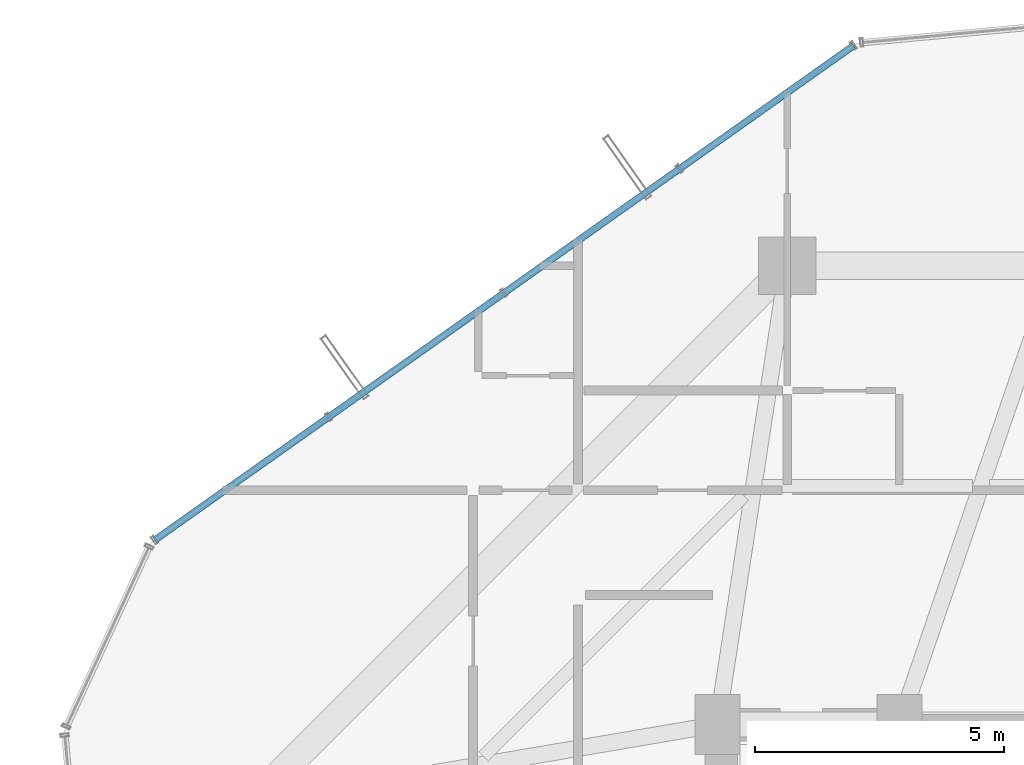
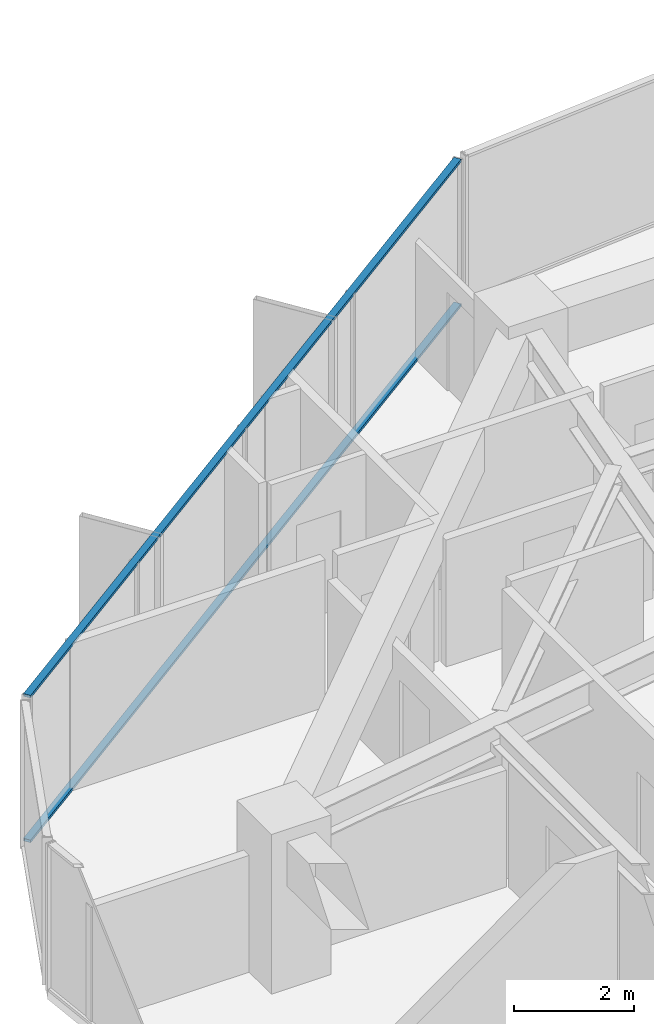
# One storey, part 20 of 33: 2 members, 1 element without a shape of its own.
"""IFC4 building model written with IfcOpenShell, lengths in metres."""

from ifc_helpers import new_model, si_unit, direction, frame, origin, origin_2d, place, context, subcontext, project, spatial, hollow_rectangle, extrude, source, transform, mapped, material, layer, layer_set, material_profile, profile_set, type_object, element, aggregate, save


model = new_model("IFC4")

# Units and contexts
model_context = context("Model", 3, precision=1e-05, world=origin(), true_north=direction((0.0, 1.0)))
body_context = subcontext(model_context, "Body", "Model", "MODEL_VIEW")
ifc_project = project(units=[si_unit("LENGTHUNIT", "METRE"), si_unit("AREAUNIT", "SQUARE_METRE"), si_unit("VOLUMEUNIT", "CUBIC_METRE"), si_unit("PLANEANGLEUNIT", "RADIAN"), si_unit("MASSUNIT", "GRAM", prefix="KILO")], contexts=[model_context])

# Site, building, storey
site_placement = place(None, origin())
site = spatial("IfcSite", under=ifc_project, at=site_placement, CompositionType="ELEMENT")
building_placement = place(site_placement, origin())
building = spatial("IfcBuilding", under=site, at=building_placement, Name="Veraguas Prism Commons", CompositionType="ELEMENT")
storey_placement = place(building_placement, frame((0.0, 0.0, 145.75)))
storey = spatial("IfcBuildingStorey", under=building, at=storey_placement, Name="L41", CompositionType="ELEMENT", Elevation=145.75)

# Curtain wall, members
ifc_material = material(Name="Anodised aluminium EN AW-6063 T6", Category="aluminium")
ifc_layer = layer(ifc_material, 0.169921875, Name="Unitised Flush Curtain Wall Zone 2", Category="aluminium")
ifc_layer_set = layer_set([ifc_layer], Name="Anodised aluminium EN AW-6063 T6")
curtain_wall_type = type_object("IfcCurtainWallType", Name="Unitised Flush Curtain Wall Zone 2", PredefinedType="NOTDEFINED", material=ifc_layer_set)
curtain_wall_placement = place(storey_placement, origin())
curtain_wall = element("IfcCurtainWall", 1, at=curtain_wall_placement, inside=storey, type_object=curtain_wall_type, Name="Tower Facade Curtain Wall L41-F2", PredefinedType="NOTDEFINED")
ifc_material_profile = material_profile(ifc_material, hollow_rectangle(XDim=0.054931640625, YDim=0.135009765625, WallThickness=0.0029296875, at=origin_2d()), Name="AL55X135X3")
ifc_profile_set = profile_set([ifc_material_profile], Name="Anodised aluminium EN AW-6063 T6")
member_type = type_object("IfcMemberType", Name="Curtain Wall Transom Standard AL 55x135x3", PredefinedType="USERDEFINED", material=ifc_profile_set)
shared_shape = source(origin(), body_context, "Body", "SweptSolid", [
    extrude(hollow_rectangle(XDim=0.054931640625, YDim=0.135009765625, WallThickness=0.0029296875, at=origin_2d()), origin(), (0.0, 0.0, 1.0), 17.174560546875),
])
member_1_placement = place(storey_placement, frame((19.930908203125, 44.619140625, 0.027587890625), z_axis=(-0.816342566733, -0.577568016549, 0.0), x_axis=(0.0, 0.0, 1.0)))
member_1 = element("IfcMember", 2, at=member_1_placement, type_object=member_type, Name="CW-Z2 Transom 1", ObjectType="TRANSOM", PredefinedType="USERDEFINED", context=body_context, shape_type="MappedRepresentation", body=[
    mapped(shared_shape, transform((0.0, 0.0, 0.0), scale=1.0)),
])
member_2_placement = place(storey_placement, frame((19.930908203125, 44.619140625, 2.972412109375), z_axis=(-0.816342566733, -0.577568016549, 0.0), x_axis=(0.0, 0.0, 1.0)))
member_2 = element("IfcMember", 3, at=member_2_placement, type_object=member_type, Name="CW-Z2 Transom 2", ObjectType="TRANSOM", PredefinedType="USERDEFINED", context=body_context, shape_type="MappedRepresentation", body=[
    mapped(shared_shape, transform((0.0, 0.0, 0.0), scale=1.0)),
])
aggregate(curtain_wall, [member_1, member_2])

save(model, "model.ifc")
